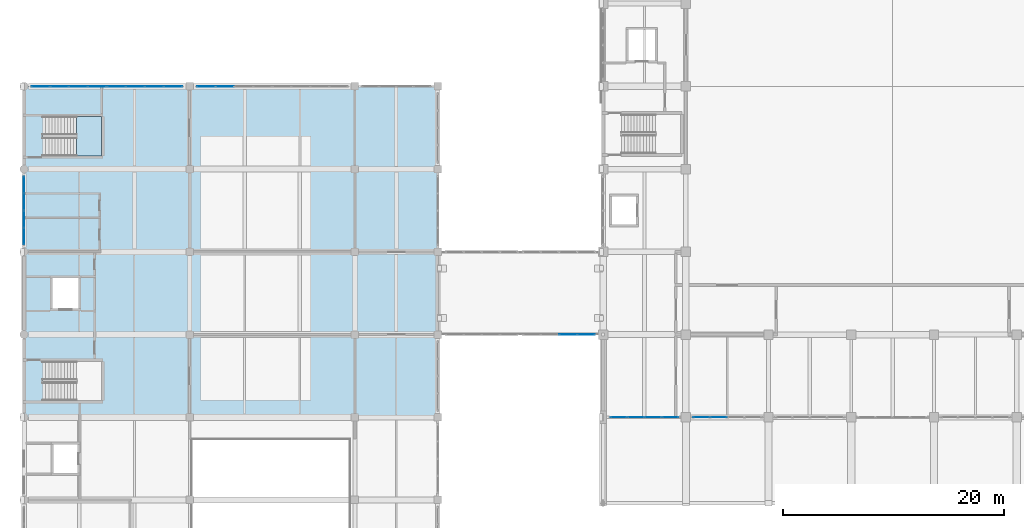
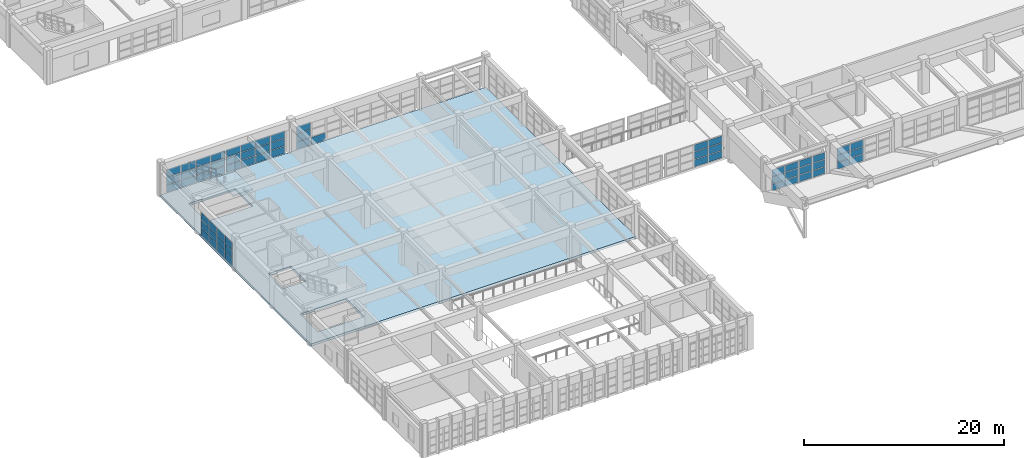
# One storey, part 83 of 132: 64 plates, 2 slabs, 8 elements without a shape of their own.
"""IFC4 building model written with IfcOpenShell, lengths in metres."""

from ifc_helpers import new_model, si_unit, direction, frame, origin, origin_2d, place, context, subcontext, project, spatial, polyline, rectangle, outline, extrude, material, layer, layer_set, type_object, element, aggregate, save


model = new_model("IFC4")

# Units and contexts
model_context = context("Model", 3, precision=1e-05, world=origin(), true_north=direction((0.0, 1.0)))
body_context = subcontext(model_context, "Body", "Model", "MODEL_VIEW")
ifc_project = project(units=[si_unit("LENGTHUNIT", "METRE"), si_unit("AREAUNIT", "SQUARE_METRE"), si_unit("VOLUMEUNIT", "CUBIC_METRE"), si_unit("PLANEANGLEUNIT", "RADIAN"), si_unit("MASSUNIT", "GRAM", prefix="KILO")], contexts=[model_context])

# Site, building, storey
site_placement = place(None, origin())
site = spatial("IfcSite", under=ifc_project, at=site_placement, CompositionType="ELEMENT")
building_placement = place(site_placement, origin())
building = spatial("IfcBuilding", under=site, at=building_placement, Name="Qasida Concert Hall", CompositionType="ELEMENT")
storey_placement = place(building_placement, frame((0.0, 0.0, 4.800048828125)))
storey = spatial("IfcBuildingStorey", under=building, at=storey_placement, Name="L01", CompositionType="ELEMENT", Elevation=4.800048828125)

# Curtain wall, plates
ifc_material_1 = material(Name="Architectural bronze-anodized aluminium and low-E glass", Category="aluminium")
curtain_wall_type_1 = type_object("IfcCurtainWallType", Name="CW-02", PredefinedType="NOTDEFINED", material=ifc_material_1)
curtain_wall_1_placement = place(storey_placement, origin())
curtain_wall_1 = element("IfcCurtainWall", 1, at=curtain_wall_1_placement, inside=storey, type_object=curtain_wall_type_1, Name="L01 curtain wall CW-02 0001", PredefinedType="NOTDEFINED")
ifc_material_2 = material(Name="Solar-control low-E double glazing", Category="glass")
ifc_layer_1 = layer(ifc_material_2, 0.035888671875, Name="Solar-control low-E double glazing")
ifc_layer_set_1 = layer_set([ifc_layer_1], Name="Solar-control low-E double glazing")
plate_type_1 = type_object("IfcPlateType", Name="PLT-CWP-1", PredefinedType="CURTAIN_PANEL", material=ifc_layer_set_1)
plate_1_placement = place(storey_placement, frame((53.919921875, 22.5, 0.06494140625), z_axis=(0.0, 0.0, 1.0), x_axis=(1.0, 0.0, 0.0)))
plate_1 = element("IfcPlate", 2, at=plate_1_placement, type_object=plate_type_1, Name="CW-02 panel 1.1", PredefinedType="CURTAIN_PANEL", context=body_context, shape_type="SweptSolid", body=[
    extrude(rectangle(XDim=1.4599609375, YDim=0.035888671875, at=origin_2d()), origin(), (0.0, 0.0, 1.0), 0.79931640625),
])
plate_2_placement = place(storey_placement, frame((53.919921875, 22.5, 0.92919921875), z_axis=(0.0, 0.0, 1.0), x_axis=(1.0, 0.0, 0.0)))
plate_2 = element("IfcPlate", 3, at=plate_2_placement, type_object=plate_type_1, Name="CW-02 panel 1.2", PredefinedType="CURTAIN_PANEL", context=body_context, shape_type="SweptSolid", body=[
    extrude(rectangle(XDim=1.4599609375, YDim=0.035888671875, at=origin_2d()), origin(), (0.0, 0.0, 1.0), 0.83154296875),
])
plate_3_placement = place(storey_placement, frame((53.919921875, 22.5, 1.82568359375), z_axis=(0.0, 0.0, 1.0), x_axis=(1.0, 0.0, 0.0)))
plate_3 = element("IfcPlate", 4, at=plate_3_placement, type_object=plate_type_1, Name="CW-02 panel 1.3", PredefinedType="CURTAIN_PANEL", context=body_context, shape_type="SweptSolid", body=[
    extrude(rectangle(XDim=1.4599609375, YDim=0.035888671875, at=origin_2d()), origin(), (0.0, 0.0, 1.0), 0.79931640625),
])
plate_4_placement = place(storey_placement, frame((55.467529296875, 22.5, 0.06494140625), z_axis=(0.0, 0.0, 1.0), x_axis=(1.0, 0.0, 0.0)))
plate_4 = element("IfcPlate", 5, at=plate_4_placement, type_object=plate_type_1, Name="CW-02 panel 2.1", PredefinedType="CURTAIN_PANEL", context=body_context, shape_type="SweptSolid", body=[
    extrude(rectangle(XDim=1.4951171875, YDim=0.035888671875, at=origin_2d()), origin(), (0.0, 0.0, 1.0), 0.79931640625),
])
plate_5_placement = place(storey_placement, frame((55.467529296875, 22.5, 0.92919921875), z_axis=(0.0, 0.0, 1.0), x_axis=(1.0, 0.0, 0.0)))
plate_5 = element("IfcPlate", 6, at=plate_5_placement, type_object=plate_type_1, Name="CW-02 panel 2.2", PredefinedType="CURTAIN_PANEL", context=body_context, shape_type="SweptSolid", body=[
    extrude(rectangle(XDim=1.4951171875, YDim=0.035888671875, at=origin_2d()), origin(), (0.0, 0.0, 1.0), 0.83154296875),
])
plate_6_placement = place(storey_placement, frame((55.467529296875, 22.5, 1.82568359375), z_axis=(0.0, 0.0, 1.0), x_axis=(1.0, 0.0, 0.0)))
plate_6 = element("IfcPlate", 7, at=plate_6_placement, type_object=plate_type_1, Name="CW-02 panel 2.3", PredefinedType="CURTAIN_PANEL", context=body_context, shape_type="SweptSolid", body=[
    extrude(rectangle(XDim=1.4951171875, YDim=0.035888671875, at=origin_2d()), origin(), (0.0, 0.0, 1.0), 0.79931640625),
])
plate_7_placement = place(storey_placement, frame((57.032470703125, 22.5, 0.06494140625), z_axis=(0.0, 0.0, 1.0), x_axis=(1.0, 0.0, 0.0)))
plate_7 = element("IfcPlate", 8, at=plate_7_placement, type_object=plate_type_1, Name="CW-02 panel 3.1", PredefinedType="CURTAIN_PANEL", context=body_context, shape_type="SweptSolid", body=[
    extrude(rectangle(XDim=1.4951171875, YDim=0.035888671875, at=origin_2d()), origin(), (0.0, 0.0, 1.0), 0.79931640625),
])
plate_8_placement = place(storey_placement, frame((57.032470703125, 22.5, 0.92919921875), z_axis=(0.0, 0.0, 1.0), x_axis=(1.0, 0.0, 0.0)))
plate_8 = element("IfcPlate", 9, at=plate_8_placement, type_object=plate_type_1, Name="CW-02 panel 3.2", PredefinedType="CURTAIN_PANEL", context=body_context, shape_type="SweptSolid", body=[
    extrude(rectangle(XDim=1.4951171875, YDim=0.035888671875, at=origin_2d()), origin(), (0.0, 0.0, 1.0), 0.83154296875),
])
plate_9_placement = place(storey_placement, frame((57.032470703125, 22.5, 1.82568359375), z_axis=(0.0, 0.0, 1.0), x_axis=(1.0, 0.0, 0.0)))
plate_9 = element("IfcPlate", 10, at=plate_9_placement, type_object=plate_type_1, Name="CW-02 panel 3.3", PredefinedType="CURTAIN_PANEL", context=body_context, shape_type="SweptSolid", body=[
    extrude(rectangle(XDim=1.4951171875, YDim=0.035888671875, at=origin_2d()), origin(), (0.0, 0.0, 1.0), 0.79931640625),
])
plate_10_placement = place(storey_placement, frame((58.580078125, 22.5, 0.06494140625), z_axis=(0.0, 0.0, 1.0), x_axis=(1.0, 0.0, 0.0)))
plate_10 = element("IfcPlate", 11, at=plate_10_placement, type_object=plate_type_1, Name="CW-02 panel 4.1", PredefinedType="CURTAIN_PANEL", context=body_context, shape_type="SweptSolid", body=[
    extrude(rectangle(XDim=1.4599609375, YDim=0.035888671875, at=origin_2d()), origin(), (0.0, 0.0, 1.0), 0.79931640625),
])
plate_11_placement = place(storey_placement, frame((58.580078125, 22.5, 0.92919921875), z_axis=(0.0, 0.0, 1.0), x_axis=(1.0, 0.0, 0.0)))
plate_11 = element("IfcPlate", 12, at=plate_11_placement, type_object=plate_type_1, Name="CW-02 panel 4.2", PredefinedType="CURTAIN_PANEL", context=body_context, shape_type="SweptSolid", body=[
    extrude(rectangle(XDim=1.4599609375, YDim=0.035888671875, at=origin_2d()), origin(), (0.0, 0.0, 1.0), 0.83154296875),
])
plate_12_placement = place(storey_placement, frame((58.580078125, 22.5, 1.82568359375), z_axis=(0.0, 0.0, 1.0), x_axis=(1.0, 0.0, 0.0)))
plate_12 = element("IfcPlate", 13, at=plate_12_placement, type_object=plate_type_1, Name="CW-02 panel 4.3", PredefinedType="CURTAIN_PANEL", context=body_context, shape_type="SweptSolid", body=[
    extrude(rectangle(XDim=1.4599609375, YDim=0.035888671875, at=origin_2d()), origin(), (0.0, 0.0, 1.0), 0.79931640625),
])
aggregate(curtain_wall_1, [plate_1, plate_2, plate_3, plate_4, plate_5, plate_6, plate_7, plate_8, plate_9, plate_10, plate_11, plate_12])

curtain_wall_2_placement = place(storey_placement, origin())
curtain_wall_2 = element("IfcCurtainWall", 14, at=curtain_wall_2_placement, inside=storey, type_object=curtain_wall_type_1, Name="L01 curtain wall CW-02 0002", PredefinedType="NOTDEFINED")
plate_13_placement = place(storey_placement, frame((61.419921875, 22.5, 0.06494140625), z_axis=(0.0, 0.0, 1.0), x_axis=(1.0, 0.0, 0.0)))
plate_13 = element("IfcPlate", 15, at=plate_13_placement, type_object=plate_type_1, Name="CW-02 panel 1.1", PredefinedType="CURTAIN_PANEL", context=body_context, shape_type="SweptSolid", body=[
    extrude(rectangle(XDim=1.4599609375, YDim=0.035888671875, at=origin_2d()), origin(), (0.0, 0.0, 1.0), 0.79931640625),
])
plate_14_placement = place(storey_placement, frame((61.419921875, 22.5, 0.92919921875), z_axis=(0.0, 0.0, 1.0), x_axis=(1.0, 0.0, 0.0)))
plate_14 = element("IfcPlate", 16, at=plate_14_placement, type_object=plate_type_1, Name="CW-02 panel 1.2", PredefinedType="CURTAIN_PANEL", context=body_context, shape_type="SweptSolid", body=[
    extrude(rectangle(XDim=1.4599609375, YDim=0.035888671875, at=origin_2d()), origin(), (0.0, 0.0, 1.0), 0.83154296875),
])
plate_15_placement = place(storey_placement, frame((61.419921875, 22.5, 1.82568359375), z_axis=(0.0, 0.0, 1.0), x_axis=(1.0, 0.0, 0.0)))
plate_15 = element("IfcPlate", 17, at=plate_15_placement, type_object=plate_type_1, Name="CW-02 panel 1.3", PredefinedType="CURTAIN_PANEL", context=body_context, shape_type="SweptSolid", body=[
    extrude(rectangle(XDim=1.4599609375, YDim=0.035888671875, at=origin_2d()), origin(), (0.0, 0.0, 1.0), 0.79931640625),
])
plate_16_placement = place(storey_placement, frame((62.967529296875, 22.5, 0.06494140625), z_axis=(0.0, 0.0, 1.0), x_axis=(1.0, 0.0, 0.0)))
plate_16 = element("IfcPlate", 18, at=plate_16_placement, type_object=plate_type_1, Name="CW-02 panel 2.1", PredefinedType="CURTAIN_PANEL", context=body_context, shape_type="SweptSolid", body=[
    extrude(rectangle(XDim=1.4951171875, YDim=0.035888671875, at=origin_2d()), origin(), (0.0, 0.0, 1.0), 0.79931640625),
])
plate_17_placement = place(storey_placement, frame((62.967529296875, 22.5, 0.92919921875), z_axis=(0.0, 0.0, 1.0), x_axis=(1.0, 0.0, 0.0)))
plate_17 = element("IfcPlate", 19, at=plate_17_placement, type_object=plate_type_1, Name="CW-02 panel 2.2", PredefinedType="CURTAIN_PANEL", context=body_context, shape_type="SweptSolid", body=[
    extrude(rectangle(XDim=1.4951171875, YDim=0.035888671875, at=origin_2d()), origin(), (0.0, 0.0, 1.0), 0.83154296875),
])
plate_18_placement = place(storey_placement, frame((62.967529296875, 22.5, 1.82568359375), z_axis=(0.0, 0.0, 1.0), x_axis=(1.0, 0.0, 0.0)))
plate_18 = element("IfcPlate", 20, at=plate_18_placement, type_object=plate_type_1, Name="CW-02 panel 2.3", PredefinedType="CURTAIN_PANEL", context=body_context, shape_type="SweptSolid", body=[
    extrude(rectangle(XDim=1.4951171875, YDim=0.035888671875, at=origin_2d()), origin(), (0.0, 0.0, 1.0), 0.79931640625),
])
aggregate(curtain_wall_2, [plate_13, plate_14, plate_15, plate_16, plate_17, plate_18])

curtain_wall_type_2 = type_object("IfcCurtainWallType", Name="CW-07", PredefinedType="NOTDEFINED", material=ifc_material_1)
curtain_wall_3_placement = place(storey_placement, origin())
curtain_wall_3 = element("IfcCurtainWall", 21, at=curtain_wall_3_placement, inside=storey, type_object=curtain_wall_type_2, Name="L01 curtain wall CW-07 0082", PredefinedType="NOTDEFINED")
ifc_layer_2 = layer(ifc_material_2, 0.031982421875, Name="Solar-control low-E double glazing")
ifc_layer_set_2 = layer_set([ifc_layer_2], Name="Solar-control low-E double glazing")
plate_type_2 = type_object("IfcPlateType", Name="PLT-CWP-2", PredefinedType="CURTAIN_PANEL", material=ifc_layer_set_2)
plate_19_placement = place(storey_placement, frame((1.4951171875, 52.5, 0.06005859375), z_axis=(0.0, 0.0, 1.0), x_axis=(1.0, 0.0, 0.0)))
plate_19 = element("IfcPlate", 22, at=plate_19_placement, type_object=plate_type_2, Name="CW-07 panel 1.1", PredefinedType="CURTAIN_PANEL", context=body_context, shape_type="SweptSolid", body=[
    extrude(rectangle(XDim=1.6201171875, YDim=0.031982421875, at=origin_2d()), origin(), (0.0, 0.0, 1.0), 0.873291015625),
])
plate_20_placement = place(storey_placement, frame((1.4951171875, 52.5, 0.993408203125), z_axis=(0.0, 0.0, 1.0), x_axis=(1.0, 0.0, 0.0)))
plate_20 = element("IfcPlate", 23, at=plate_20_placement, type_object=plate_type_2, Name="CW-07 panel 1.2", PredefinedType="CURTAIN_PANEL", context=body_context, shape_type="SweptSolid", body=[
    extrude(rectangle(XDim=1.6201171875, YDim=0.031982421875, at=origin_2d()), origin(), (0.0, 0.0, 1.0), 0.9033203125),
])
plate_21_placement = place(storey_placement, frame((1.4951171875, 52.5, 1.95654296875), z_axis=(0.0, 0.0, 1.0), x_axis=(1.0, 0.0, 0.0)))
plate_21 = element("IfcPlate", 24, at=plate_21_placement, type_object=plate_type_2, Name="CW-07 panel 1.3", PredefinedType="CURTAIN_PANEL", context=body_context, shape_type="SweptSolid", body=[
    extrude(rectangle(XDim=1.6201171875, YDim=0.031982421875, at=origin_2d()), origin(), (0.0, 0.0, 1.0), 0.873291015625),
])
plate_22_placement = place(storey_placement, frame((3.1962890625, 52.5, 0.06005859375), z_axis=(0.0, 0.0, 1.0), x_axis=(1.0, 0.0, 0.0)))
plate_22 = element("IfcPlate", 25, at=plate_22_placement, type_object=plate_type_2, Name="CW-07 panel 2.1", PredefinedType="CURTAIN_PANEL", context=body_context, shape_type="SweptSolid", body=[
    extrude(rectangle(XDim=1.652587890625, YDim=0.031982421875, at=origin_2d()), origin(), (0.0, 0.0, 1.0), 0.873291015625),
])
plate_23_placement = place(storey_placement, frame((3.1962890625, 52.5, 0.993408203125), z_axis=(0.0, 0.0, 1.0), x_axis=(1.0, 0.0, 0.0)))
plate_23 = element("IfcPlate", 26, at=plate_23_placement, type_object=plate_type_2, Name="CW-07 panel 2.2", PredefinedType="CURTAIN_PANEL", context=body_context, shape_type="SweptSolid", body=[
    extrude(rectangle(XDim=1.652587890625, YDim=0.031982421875, at=origin_2d()), origin(), (0.0, 0.0, 1.0), 0.9033203125),
])
plate_24_placement = place(storey_placement, frame((3.1962890625, 52.5, 1.95654296875), z_axis=(0.0, 0.0, 1.0), x_axis=(1.0, 0.0, 0.0)))
plate_24 = element("IfcPlate", 27, at=plate_24_placement, type_object=plate_type_2, Name="CW-07 panel 2.3", PredefinedType="CURTAIN_PANEL", context=body_context, shape_type="SweptSolid", body=[
    extrude(rectangle(XDim=1.652587890625, YDim=0.031982421875, at=origin_2d()), origin(), (0.0, 0.0, 1.0), 0.873291015625),
])
plate_25_placement = place(storey_placement, frame((4.913818359375, 52.5, 0.06005859375), z_axis=(0.0, 0.0, 1.0), x_axis=(1.0, 0.0, 0.0)))
plate_25 = element("IfcPlate", 28, at=plate_25_placement, type_object=plate_type_2, Name="CW-07 panel 3.1", PredefinedType="CURTAIN_PANEL", context=body_context, shape_type="SweptSolid", body=[
    extrude(rectangle(XDim=1.652587890625, YDim=0.031982421875, at=origin_2d()), origin(), (0.0, 0.0, 1.0), 0.873291015625),
])
plate_26_placement = place(storey_placement, frame((4.913818359375, 52.5, 0.993408203125), z_axis=(0.0, 0.0, 1.0), x_axis=(1.0, 0.0, 0.0)))
plate_26 = element("IfcPlate", 29, at=plate_26_placement, type_object=plate_type_2, Name="CW-07 panel 3.2", PredefinedType="CURTAIN_PANEL", context=body_context, shape_type="SweptSolid", body=[
    extrude(rectangle(XDim=1.652587890625, YDim=0.031982421875, at=origin_2d()), origin(), (0.0, 0.0, 1.0), 0.9033203125),
])
plate_27_placement = place(storey_placement, frame((4.913818359375, 52.5, 1.95654296875), z_axis=(0.0, 0.0, 1.0), x_axis=(1.0, 0.0, 0.0)))
plate_27 = element("IfcPlate", 30, at=plate_27_placement, type_object=plate_type_2, Name="CW-07 panel 3.3", PredefinedType="CURTAIN_PANEL", context=body_context, shape_type="SweptSolid", body=[
    extrude(rectangle(XDim=1.652587890625, YDim=0.031982421875, at=origin_2d()), origin(), (0.0, 0.0, 1.0), 0.873291015625),
])
plate_28_placement = place(storey_placement, frame((6.614990234375, 52.5, 0.06005859375), z_axis=(0.0, 0.0, 1.0), x_axis=(1.0, 0.0, 0.0)))
plate_28 = element("IfcPlate", 31, at=plate_28_placement, type_object=plate_type_2, Name="CW-07 panel 4.1", PredefinedType="CURTAIN_PANEL", context=body_context, shape_type="SweptSolid", body=[
    extrude(rectangle(XDim=1.6201171875, YDim=0.031982421875, at=origin_2d()), origin(), (0.0, 0.0, 1.0), 0.873291015625),
])
plate_29_placement = place(storey_placement, frame((6.614990234375, 52.5, 0.993408203125), z_axis=(0.0, 0.0, 1.0), x_axis=(1.0, 0.0, 0.0)))
plate_29 = element("IfcPlate", 32, at=plate_29_placement, type_object=plate_type_2, Name="CW-07 panel 4.2", PredefinedType="CURTAIN_PANEL", context=body_context, shape_type="SweptSolid", body=[
    extrude(rectangle(XDim=1.6201171875, YDim=0.031982421875, at=origin_2d()), origin(), (0.0, 0.0, 1.0), 0.9033203125),
])
plate_30_placement = place(storey_placement, frame((6.614990234375, 52.5, 1.95654296875), z_axis=(0.0, 0.0, 1.0), x_axis=(1.0, 0.0, 0.0)))
plate_30 = element("IfcPlate", 33, at=plate_30_placement, type_object=plate_type_2, Name="CW-07 panel 4.3", PredefinedType="CURTAIN_PANEL", context=body_context, shape_type="SweptSolid", body=[
    extrude(rectangle(XDim=1.6201171875, YDim=0.031982421875, at=origin_2d()), origin(), (0.0, 0.0, 1.0), 0.873291015625),
])
aggregate(curtain_wall_3, [plate_19, plate_20, plate_21, plate_22, plate_23, plate_24, plate_25, plate_26, plate_27, plate_28, plate_29, plate_30])

curtain_wall_4_placement = place(storey_placement, origin())
curtain_wall_4 = element("IfcCurtainWall", 34, at=curtain_wall_4_placement, inside=storey, type_object=curtain_wall_type_2, Name="L01 curtain wall CW-07 0084", PredefinedType="NOTDEFINED")
plate_31_placement = place(storey_placement, frame((8.385009765625, 52.5, 0.06005859375), z_axis=(0.0, 0.0, 1.0), x_axis=(1.0, 0.0, 0.0)))
plate_31 = element("IfcPlate", 35, at=plate_31_placement, type_object=plate_type_2, Name="CW-07 panel 1.1", PredefinedType="CURTAIN_PANEL", context=body_context, shape_type="SweptSolid", body=[
    extrude(rectangle(XDim=1.6201171875, YDim=0.031982421875, at=origin_2d()), origin(), (0.0, 0.0, 1.0), 0.873291015625),
])
plate_32_placement = place(storey_placement, frame((8.385009765625, 52.5, 0.993408203125), z_axis=(0.0, 0.0, 1.0), x_axis=(1.0, 0.0, 0.0)))
plate_32 = element("IfcPlate", 36, at=plate_32_placement, type_object=plate_type_2, Name="CW-07 panel 1.2", PredefinedType="CURTAIN_PANEL", context=body_context, shape_type="SweptSolid", body=[
    extrude(rectangle(XDim=1.6201171875, YDim=0.031982421875, at=origin_2d()), origin(), (0.0, 0.0, 1.0), 0.9033203125),
])
plate_33_placement = place(storey_placement, frame((8.385009765625, 52.5, 1.95654296875), z_axis=(0.0, 0.0, 1.0), x_axis=(1.0, 0.0, 0.0)))
plate_33 = element("IfcPlate", 37, at=plate_33_placement, type_object=plate_type_2, Name="CW-07 panel 1.3", PredefinedType="CURTAIN_PANEL", context=body_context, shape_type="SweptSolid", body=[
    extrude(rectangle(XDim=1.6201171875, YDim=0.031982421875, at=origin_2d()), origin(), (0.0, 0.0, 1.0), 0.873291015625),
])
plate_34_placement = place(storey_placement, frame((10.086181640625, 52.5, 0.06005859375), z_axis=(0.0, 0.0, 1.0), x_axis=(1.0, 0.0, 0.0)))
plate_34 = element("IfcPlate", 38, at=plate_34_placement, type_object=plate_type_2, Name="CW-07 panel 2.1", PredefinedType="CURTAIN_PANEL", context=body_context, shape_type="SweptSolid", body=[
    extrude(rectangle(XDim=1.652587890625, YDim=0.031982421875, at=origin_2d()), origin(), (0.0, 0.0, 1.0), 0.873291015625),
])
plate_35_placement = place(storey_placement, frame((10.086181640625, 52.5, 0.993408203125), z_axis=(0.0, 0.0, 1.0), x_axis=(1.0, 0.0, 0.0)))
plate_35 = element("IfcPlate", 39, at=plate_35_placement, type_object=plate_type_2, Name="CW-07 panel 2.2", PredefinedType="CURTAIN_PANEL", context=body_context, shape_type="SweptSolid", body=[
    extrude(rectangle(XDim=1.652587890625, YDim=0.031982421875, at=origin_2d()), origin(), (0.0, 0.0, 1.0), 0.9033203125),
])
plate_36_placement = place(storey_placement, frame((10.086181640625, 52.5, 1.95654296875), z_axis=(0.0, 0.0, 1.0), x_axis=(1.0, 0.0, 0.0)))
plate_36 = element("IfcPlate", 40, at=plate_36_placement, type_object=plate_type_2, Name="CW-07 panel 2.3", PredefinedType="CURTAIN_PANEL", context=body_context, shape_type="SweptSolid", body=[
    extrude(rectangle(XDim=1.652587890625, YDim=0.031982421875, at=origin_2d()), origin(), (0.0, 0.0, 1.0), 0.873291015625),
])
plate_37_placement = place(storey_placement, frame((11.8037109375, 52.5, 0.06005859375), z_axis=(0.0, 0.0, 1.0), x_axis=(1.0, 0.0, 0.0)))
plate_37 = element("IfcPlate", 41, at=plate_37_placement, type_object=plate_type_2, Name="CW-07 panel 3.1", PredefinedType="CURTAIN_PANEL", context=body_context, shape_type="SweptSolid", body=[
    extrude(rectangle(XDim=1.652587890625, YDim=0.031982421875, at=origin_2d()), origin(), (0.0, 0.0, 1.0), 0.873291015625),
])
plate_38_placement = place(storey_placement, frame((11.8037109375, 52.5, 0.993408203125), z_axis=(0.0, 0.0, 1.0), x_axis=(1.0, 0.0, 0.0)))
plate_38 = element("IfcPlate", 42, at=plate_38_placement, type_object=plate_type_2, Name="CW-07 panel 3.2", PredefinedType="CURTAIN_PANEL", context=body_context, shape_type="SweptSolid", body=[
    extrude(rectangle(XDim=1.652587890625, YDim=0.031982421875, at=origin_2d()), origin(), (0.0, 0.0, 1.0), 0.9033203125),
])
plate_39_placement = place(storey_placement, frame((11.8037109375, 52.5, 1.95654296875), z_axis=(0.0, 0.0, 1.0), x_axis=(1.0, 0.0, 0.0)))
plate_39 = element("IfcPlate", 43, at=plate_39_placement, type_object=plate_type_2, Name="CW-07 panel 3.3", PredefinedType="CURTAIN_PANEL", context=body_context, shape_type="SweptSolid", body=[
    extrude(rectangle(XDim=1.652587890625, YDim=0.031982421875, at=origin_2d()), origin(), (0.0, 0.0, 1.0), 0.873291015625),
])
plate_40_placement = place(storey_placement, frame((13.5048828125, 52.5, 0.06005859375), z_axis=(0.0, 0.0, 1.0), x_axis=(1.0, 0.0, 0.0)))
plate_40 = element("IfcPlate", 44, at=plate_40_placement, type_object=plate_type_2, Name="CW-07 panel 4.1", PredefinedType="CURTAIN_PANEL", context=body_context, shape_type="SweptSolid", body=[
    extrude(rectangle(XDim=1.6201171875, YDim=0.031982421875, at=origin_2d()), origin(), (0.0, 0.0, 1.0), 0.873291015625),
])
plate_41_placement = place(storey_placement, frame((13.5048828125, 52.5, 0.993408203125), z_axis=(0.0, 0.0, 1.0), x_axis=(1.0, 0.0, 0.0)))
plate_41 = element("IfcPlate", 45, at=plate_41_placement, type_object=plate_type_2, Name="CW-07 panel 4.2", PredefinedType="CURTAIN_PANEL", context=body_context, shape_type="SweptSolid", body=[
    extrude(rectangle(XDim=1.6201171875, YDim=0.031982421875, at=origin_2d()), origin(), (0.0, 0.0, 1.0), 0.9033203125),
])
plate_42_placement = place(storey_placement, frame((13.5048828125, 52.5, 1.95654296875), z_axis=(0.0, 0.0, 1.0), x_axis=(1.0, 0.0, 0.0)))
plate_42 = element("IfcPlate", 46, at=plate_42_placement, type_object=plate_type_2, Name="CW-07 panel 4.3", PredefinedType="CURTAIN_PANEL", context=body_context, shape_type="SweptSolid", body=[
    extrude(rectangle(XDim=1.6201171875, YDim=0.031982421875, at=origin_2d()), origin(), (0.0, 0.0, 1.0), 0.873291015625),
])
aggregate(curtain_wall_4, [plate_31, plate_32, plate_33, plate_34, plate_35, plate_36, plate_37, plate_38, plate_39, plate_40, plate_41, plate_42])

curtain_wall_5_placement = place(storey_placement, origin())
curtain_wall_5 = element("IfcCurtainWall", 47, at=curtain_wall_5_placement, inside=storey, type_object=curtain_wall_type_2, Name="L01 curtain wall CW-07 0086", PredefinedType="NOTDEFINED")
plate_43_placement = place(storey_placement, frame((16.4951171875, 52.5, 0.06005859375), z_axis=(0.0, 0.0, 1.0), x_axis=(1.0, 0.0, 0.0)))
plate_43 = element("IfcPlate", 48, at=plate_43_placement, type_object=plate_type_2, Name="CW-07 panel 1.1", PredefinedType="CURTAIN_PANEL", context=body_context, shape_type="SweptSolid", body=[
    extrude(rectangle(XDim=1.6201171875, YDim=0.031982421875, at=origin_2d()), origin(), (0.0, 0.0, 1.0), 0.873291015625),
])
plate_44_placement = place(storey_placement, frame((16.4951171875, 52.5, 0.993408203125), z_axis=(0.0, 0.0, 1.0), x_axis=(1.0, 0.0, 0.0)))
plate_44 = element("IfcPlate", 49, at=plate_44_placement, type_object=plate_type_2, Name="CW-07 panel 1.2", PredefinedType="CURTAIN_PANEL", context=body_context, shape_type="SweptSolid", body=[
    extrude(rectangle(XDim=1.6201171875, YDim=0.031982421875, at=origin_2d()), origin(), (0.0, 0.0, 1.0), 0.9033203125),
])
plate_45_placement = place(storey_placement, frame((16.4951171875, 52.5, 1.95654296875), z_axis=(0.0, 0.0, 1.0), x_axis=(1.0, 0.0, 0.0)))
plate_45 = element("IfcPlate", 50, at=plate_45_placement, type_object=plate_type_2, Name="CW-07 panel 1.3", PredefinedType="CURTAIN_PANEL", context=body_context, shape_type="SweptSolid", body=[
    extrude(rectangle(XDim=1.6201171875, YDim=0.031982421875, at=origin_2d()), origin(), (0.0, 0.0, 1.0), 0.873291015625),
])
plate_46_placement = place(storey_placement, frame((18.1962890625, 52.5, 0.06005859375), z_axis=(0.0, 0.0, 1.0), x_axis=(1.0, 0.0, 0.0)))
plate_46 = element("IfcPlate", 51, at=plate_46_placement, type_object=plate_type_2, Name="CW-07 panel 2.1", PredefinedType="CURTAIN_PANEL", context=body_context, shape_type="SweptSolid", body=[
    extrude(rectangle(XDim=1.652587890625, YDim=0.031982421875, at=origin_2d()), origin(), (0.0, 0.0, 1.0), 0.873291015625),
])
aggregate(curtain_wall_5, [plate_43, plate_44, plate_45, plate_46])

curtain_wall_6_placement = place(storey_placement, origin())
curtain_wall_6 = element("IfcCurtainWall", 52, at=curtain_wall_6_placement, inside=storey, type_object=curtain_wall_type_2, Name="L01 curtain wall CW-07 0096", PredefinedType="NOTDEFINED")
plate_47_placement = place(storey_placement, frame((0.0, 38.918701171875, 0.06005859375), z_axis=(0.0, 0.0, 1.0), x_axis=(0.0, 1.0, 0.0)))
plate_47 = element("IfcPlate", 53, at=plate_47_placement, type_object=plate_type_2, Name="CW-07 panel 1.1", PredefinedType="CURTAIN_PANEL", context=body_context, shape_type="SweptSolid", body=[
    extrude(rectangle(XDim=1.467529296875, YDim=0.031982421875, at=origin_2d()), origin(), (0.0, 0.0, 1.0), 0.873291015625),
])
plate_48_placement = place(storey_placement, frame((0.0, 38.918701171875, 0.993408203125), z_axis=(0.0, 0.0, 1.0), x_axis=(0.0, 1.0, 0.0)))
plate_48 = element("IfcPlate", 54, at=plate_48_placement, type_object=plate_type_2, Name="CW-07 panel 1.2", PredefinedType="CURTAIN_PANEL", context=body_context, shape_type="SweptSolid", body=[
    extrude(rectangle(XDim=1.467529296875, YDim=0.031982421875, at=origin_2d()), origin(), (0.0, 0.0, 1.0), 0.9033203125),
])
plate_49_placement = place(storey_placement, frame((0.0, 38.918701171875, 1.95654296875), z_axis=(0.0, 0.0, 1.0), x_axis=(0.0, 1.0, 0.0)))
plate_49 = element("IfcPlate", 55, at=plate_49_placement, type_object=plate_type_2, Name="CW-07 panel 1.3", PredefinedType="CURTAIN_PANEL", context=body_context, shape_type="SweptSolid", body=[
    extrude(rectangle(XDim=1.467529296875, YDim=0.031982421875, at=origin_2d()), origin(), (0.0, 0.0, 1.0), 0.873291015625),
])
plate_50_placement = place(storey_placement, frame((0.0, 40.467529296875, 0.06005859375), z_axis=(0.0, 0.0, 1.0), x_axis=(0.0, 1.0, 0.0)))
plate_50 = element("IfcPlate", 56, at=plate_50_placement, type_object=plate_type_2, Name="CW-07 panel 2.1", PredefinedType="CURTAIN_PANEL", context=body_context, shape_type="SweptSolid", body=[
    extrude(rectangle(XDim=1.5, YDim=0.031982421875, at=origin_2d()), origin(), (0.0, 0.0, 1.0), 0.873291015625),
])
plate_51_placement = place(storey_placement, frame((0.0, 40.467529296875, 0.993408203125), z_axis=(0.0, 0.0, 1.0), x_axis=(0.0, 1.0, 0.0)))
plate_51 = element("IfcPlate", 57, at=plate_51_placement, type_object=plate_type_2, Name="CW-07 panel 2.2", PredefinedType="CURTAIN_PANEL", context=body_context, shape_type="SweptSolid", body=[
    extrude(rectangle(XDim=1.5, YDim=0.031982421875, at=origin_2d()), origin(), (0.0, 0.0, 1.0), 0.9033203125),
])
plate_52_placement = place(storey_placement, frame((0.0, 40.467529296875, 1.95654296875), z_axis=(0.0, 0.0, 1.0), x_axis=(0.0, 1.0, 0.0)))
plate_52 = element("IfcPlate", 58, at=plate_52_placement, type_object=plate_type_2, Name="CW-07 panel 2.3", PredefinedType="CURTAIN_PANEL", context=body_context, shape_type="SweptSolid", body=[
    extrude(rectangle(XDim=1.5, YDim=0.031982421875, at=origin_2d()), origin(), (0.0, 0.0, 1.0), 0.873291015625),
])
plate_53_placement = place(storey_placement, frame((0.0, 42.032470703125, 0.06005859375), z_axis=(0.0, 0.0, 1.0), x_axis=(0.0, 1.0, 0.0)))
plate_53 = element("IfcPlate", 59, at=plate_53_placement, type_object=plate_type_2, Name="CW-07 panel 3.1", PredefinedType="CURTAIN_PANEL", context=body_context, shape_type="SweptSolid", body=[
    extrude(rectangle(XDim=1.5, YDim=0.031982421875, at=origin_2d()), origin(), (0.0, 0.0, 1.0), 0.873291015625),
])
plate_54_placement = place(storey_placement, frame((0.0, 42.032470703125, 0.993408203125), z_axis=(0.0, 0.0, 1.0), x_axis=(0.0, 1.0, 0.0)))
plate_54 = element("IfcPlate", 60, at=plate_54_placement, type_object=plate_type_2, Name="CW-07 panel 3.2", PredefinedType="CURTAIN_PANEL", context=body_context, shape_type="SweptSolid", body=[
    extrude(rectangle(XDim=1.5, YDim=0.031982421875, at=origin_2d()), origin(), (0.0, 0.0, 1.0), 0.9033203125),
])
plate_55_placement = place(storey_placement, frame((0.0, 42.032470703125, 1.95654296875), z_axis=(0.0, 0.0, 1.0), x_axis=(0.0, 1.0, 0.0)))
plate_55 = element("IfcPlate", 61, at=plate_55_placement, type_object=plate_type_2, Name="CW-07 panel 3.3", PredefinedType="CURTAIN_PANEL", context=body_context, shape_type="SweptSolid", body=[
    extrude(rectangle(XDim=1.5, YDim=0.031982421875, at=origin_2d()), origin(), (0.0, 0.0, 1.0), 0.873291015625),
])
plate_56_placement = place(storey_placement, frame((0.0, 43.581298828125, 0.06005859375), z_axis=(0.0, 0.0, 1.0), x_axis=(0.0, 1.0, 0.0)))
plate_56 = element("IfcPlate", 62, at=plate_56_placement, type_object=plate_type_2, Name="CW-07 panel 4.1", PredefinedType="CURTAIN_PANEL", context=body_context, shape_type="SweptSolid", body=[
    extrude(rectangle(XDim=1.467529296875, YDim=0.031982421875, at=origin_2d()), origin(), (0.0, 0.0, 1.0), 0.873291015625),
])
plate_57_placement = place(storey_placement, frame((0.0, 43.581298828125, 0.993408203125), z_axis=(0.0, 0.0, 1.0), x_axis=(0.0, 1.0, 0.0)))
plate_57 = element("IfcPlate", 63, at=plate_57_placement, type_object=plate_type_2, Name="CW-07 panel 4.2", PredefinedType="CURTAIN_PANEL", context=body_context, shape_type="SweptSolid", body=[
    extrude(rectangle(XDim=1.467529296875, YDim=0.031982421875, at=origin_2d()), origin(), (0.0, 0.0, 1.0), 0.9033203125),
])
plate_58_placement = place(storey_placement, frame((0.0, 43.581298828125, 1.95654296875), z_axis=(0.0, 0.0, 1.0), x_axis=(0.0, 1.0, 0.0)))
plate_58 = element("IfcPlate", 64, at=plate_58_placement, type_object=plate_type_2, Name="CW-07 panel 4.3", PredefinedType="CURTAIN_PANEL", context=body_context, shape_type="SweptSolid", body=[
    extrude(rectangle(XDim=1.467529296875, YDim=0.031982421875, at=origin_2d()), origin(), (0.0, 0.0, 1.0), 0.873291015625),
])
aggregate(curtain_wall_6, [plate_47, plate_48, plate_49, plate_50, plate_51, plate_52, plate_53, plate_54, plate_55, plate_56, plate_57, plate_58])

curtain_wall_type_3 = type_object("IfcCurtainWallType", Name="CW-08", PredefinedType="NOTDEFINED", material=ifc_material_1)
curtain_wall_7_placement = place(storey_placement, origin())
curtain_wall_7 = element("IfcCurtainWall", 65, at=curtain_wall_7_placement, inside=storey, type_object=curtain_wall_type_3, Name="L01 link bridge glazing 0200", PredefinedType="NOTDEFINED")
ifc_layer_3 = layer(ifc_material_2, 0.02392578125, Name="Solar-control low-E double glazing")
ifc_layer_set_3 = layer_set([ifc_layer_3], Name="Solar-control low-E double glazing")
plate_type_3 = type_object("IfcPlateType", Name="PLT-CWP-5", PredefinedType="CURTAIN_PANEL", material=ifc_layer_set_3)
plate_59_placement = place(storey_placement, frame((49.324951171875, 30.0, 0.06005859375), z_axis=(0.0, 0.0, 1.0), x_axis=(1.0, 0.0, 0.0)))
plate_59 = element("IfcPlate", 66, at=plate_59_placement, type_object=plate_type_3, Name="CW-08 panel 3.1", PredefinedType="CURTAIN_PANEL", context=body_context, shape_type="SweptSolid", body=[
    extrude(rectangle(XDim=1.5849609375, YDim=0.02392578125, at=origin_2d()), origin(), (0.0, 0.0, 1.0), 0.860107421875),
])
plate_60_placement = place(storey_placement, frame((49.324951171875, 30.0, 0.97998046875), z_axis=(0.0, 0.0, 1.0), x_axis=(1.0, 0.0, 0.0)))
plate_60 = element("IfcPlate", 67, at=plate_60_placement, type_object=plate_type_3, Name="CW-08 panel 3.2", PredefinedType="CURTAIN_PANEL", context=body_context, shape_type="SweptSolid", body=[
    extrude(rectangle(XDim=1.5849609375, YDim=0.02392578125, at=origin_2d()), origin(), (0.0, 0.0, 1.0), 0.889892578125),
])
plate_61_placement = place(storey_placement, frame((49.324951171875, 30.0, 1.929931640625), z_axis=(0.0, 0.0, 1.0), x_axis=(1.0, 0.0, 0.0)))
plate_61 = element("IfcPlate", 68, at=plate_61_placement, type_object=plate_type_3, Name="CW-08 panel 3.3", PredefinedType="CURTAIN_PANEL", context=body_context, shape_type="SweptSolid", body=[
    extrude(rectangle(XDim=1.5849609375, YDim=0.02392578125, at=origin_2d()), origin(), (0.0, 0.0, 1.0), 0.81005859375),
])
plate_62_placement = place(storey_placement, frame((50.958740234375, 30.0, 0.06005859375), z_axis=(0.0, 0.0, 1.0), x_axis=(1.0, 0.0, 0.0)))
plate_62 = element("IfcPlate", 69, at=plate_62_placement, type_object=plate_type_3, Name="CW-08 panel 4.1", PredefinedType="CURTAIN_PANEL", context=body_context, shape_type="SweptSolid", body=[
    extrude(rectangle(XDim=1.552490234375, YDim=0.02392578125, at=origin_2d()), origin(), (0.0, 0.0, 1.0), 0.860107421875),
])
plate_63_placement = place(storey_placement, frame((50.958740234375, 30.0, 0.97998046875), z_axis=(0.0, 0.0, 1.0), x_axis=(1.0, 0.0, 0.0)))
plate_63 = element("IfcPlate", 70, at=plate_63_placement, type_object=plate_type_3, Name="CW-08 panel 4.2", PredefinedType="CURTAIN_PANEL", context=body_context, shape_type="SweptSolid", body=[
    extrude(rectangle(XDim=1.552490234375, YDim=0.02392578125, at=origin_2d()), origin(), (0.0, 0.0, 1.0), 0.889892578125),
])
plate_64_placement = place(storey_placement, frame((50.958740234375, 30.0, 1.929931640625), z_axis=(0.0, 0.0, 1.0), x_axis=(1.0, 0.0, 0.0)))
plate_64 = element("IfcPlate", 71, at=plate_64_placement, type_object=plate_type_3, Name="CW-08 panel 4.3", PredefinedType="CURTAIN_PANEL", context=body_context, shape_type="SweptSolid", body=[
    extrude(rectangle(XDim=1.552490234375, YDim=0.02392578125, at=origin_2d()), origin(), (0.0, 0.0, 1.0), 0.81005859375),
])
aggregate(curtain_wall_7, [plate_59, plate_60, plate_61, plate_62, plate_63, plate_64])

# Slab
ifc_material_3 = material(Name="Concrete C40/50", Category="concrete")
ifc_layer_4 = layer(ifc_material_3, 0.280029296875, Name="Concrete C40/50")
ifc_layer_set_4 = layer_set([ifc_layer_4], Name="Concrete C40/50")
slab_type_1 = type_object("IfcSlabType", Name="SL-FS-280", PredefinedType="FLOOR", material=ifc_layer_set_4)
slab_1_placement = place(storey_placement, frame((0.0, 0.0, -0.280029296875)))
element("IfcSlab", 72, at=slab_1_placement, inside=storey, type_object=slab_type_1, Name="V3 interval bar north (FS-280)", PredefinedType="FLOOR", context=body_context, shape_type="SweptSolid", body=[
    extrude(outline(polyline([(0.0, 22.5), (37.5, 22.5), (37.5, 52.5), (0.0, 52.5), (0.0, 22.5)]), holes=[polyline([(1.68994140625, 24.0), (7.02001953125, 24.0), (7.02001953125, 27.56005859375), (1.68994140625, 27.56005859375), (1.68994140625, 24.0)]), polyline([(2.449951171875, 32.25), (5.050048828125, 32.25), (5.050048828125, 35.25), (2.449951171875, 35.25), (2.449951171875, 32.25)]), polyline([(1.68994140625, 46.199951171875), (7.02001953125, 46.199951171875), (7.02001953125, 49.760009765625), (1.68994140625, 49.760009765625), (1.68994140625, 46.199951171875)])]), origin(), (0.0, 0.0, 1.0), 0.280029296875),
])

# Stair, slab
stair_type = type_object("IfcStairType", Name="ST-DL-168", PredefinedType="HALF_TURN_STAIR", material=ifc_material_3)
stair_placement = place(storey_placement, origin())
stair = element("IfcStair", 73, at=stair_placement, inside=storey, type_object=stair_type, Name="L01 Exit stair ST-04", PredefinedType="HALF_TURN_STAIR")
ifc_layer_5 = layer(ifc_material_3, 0.199951171875, Name="Concrete C40/50")
ifc_layer_set_5 = layer_set([ifc_layer_5], Name="Concrete C40/50")
slab_type_2 = type_object("IfcSlabType", Name="SL-LND-200", PredefinedType="LANDING", material=ifc_layer_set_5)
slab_2_placement = place(storey_placement, frame((0.0, 0.0, 1.89990234375)))
slab_2 = element("IfcSlab", 74, at=slab_2_placement, type_object=slab_type_2, Name="ST-04 landing 1", PredefinedType="LANDING", context=body_context, shape_type="SweptSolid", body=[
    extrude(outline(polyline([(4.760009765625, 46.199951171875), (7.02001953125, 46.199951171875), (7.02001953125, 49.760009765625), (4.760009765625, 49.760009765625), (4.760009765625, 46.199951171875)])), origin(), (0.0, 0.0, 1.0), 0.199951171875),
])
aggregate(stair, [slab_2])

save(model, "model.ifc")
